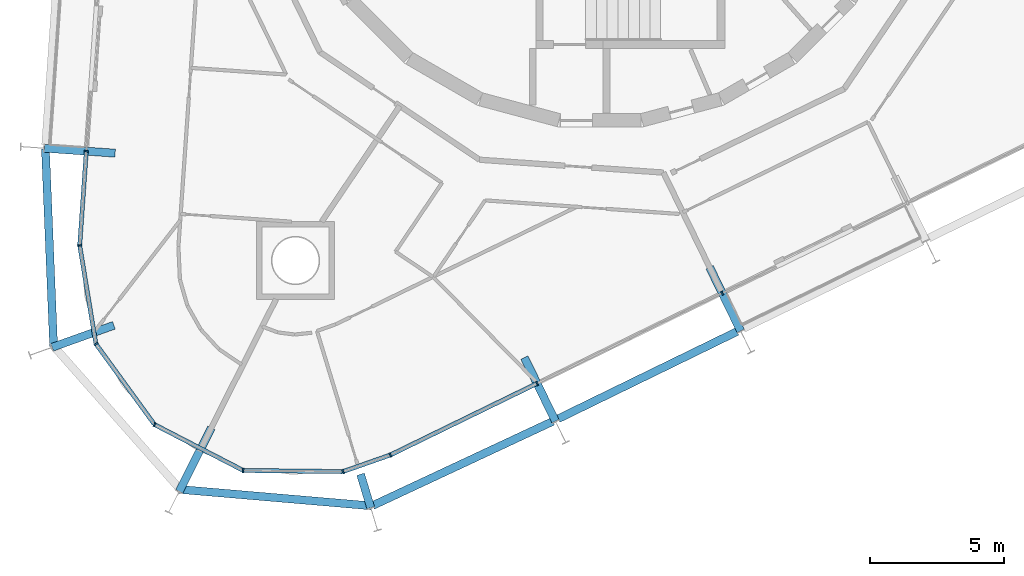
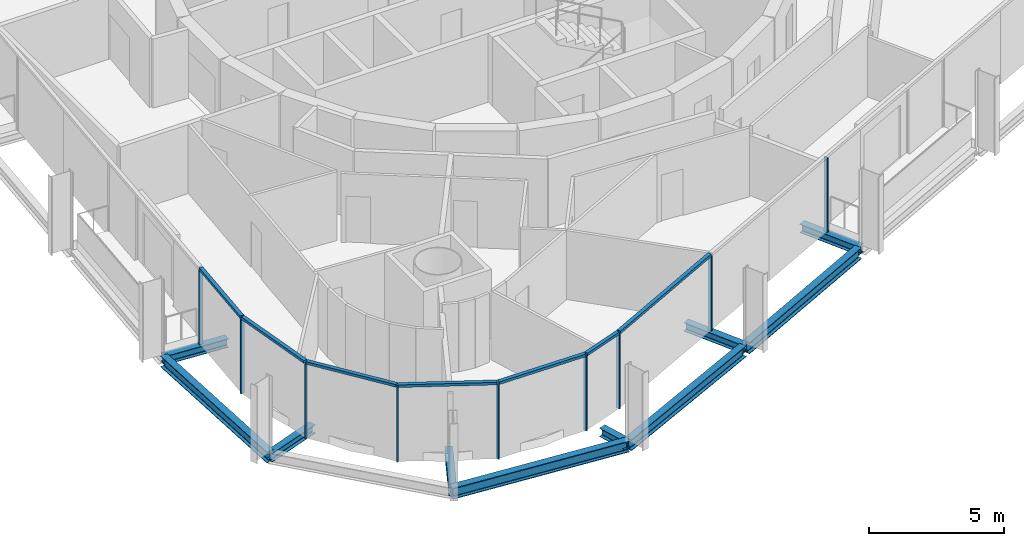
# One storey, part 2 of 17: 16 members, 10 beams, 2 elements without a shape of their own.
"""IFC4 building model written with IfcOpenShell, lengths in metres."""

from ifc_helpers import new_model, si_unit, direction, frame, origin, origin_2d, place, context, subcontext, project, spatial, rectangle, i_section, extrude, material, layer, layer_set, material_profile, profile_set, type_object, element, aggregate, save


model = new_model("IFC4")

# Units and contexts
model_context = context("Model", 3, precision=1e-05, world=origin(), true_north=direction((0.0, 1.0)))
body_context = subcontext(model_context, "Body", "Model", "MODEL_VIEW")
ifc_project = project(units=[si_unit("LENGTHUNIT", "METRE"), si_unit("AREAUNIT", "SQUARE_METRE"), si_unit("VOLUMEUNIT", "CUBIC_METRE"), si_unit("PLANEANGLEUNIT", "RADIAN"), si_unit("MASSUNIT", "GRAM", prefix="KILO")], contexts=[model_context])

# Site, building, storey
site_placement = place(None, origin())
site = spatial("IfcSite", under=ifc_project, at=site_placement, CompositionType="ELEMENT")
building_placement = place(site_placement, origin())
building = spatial("IfcBuilding", under=site, at=building_placement, Name="Spindle Arch Residences", CompositionType="ELEMENT")
storey_placement = place(building_placement, frame((0.0, 0.0, 212.89990234375)))
storey = spatial("IfcBuildingStorey", under=building, at=storey_placement, Name="L54", CompositionType="ELEMENT", Elevation=212.89990234375)

# Curtain wall, members
ifc_material_1 = material(Name="Aluminium bronze unitised frame with tinted glass", Category="aluminium")
ifc_layer_1 = layer(ifc_material_1, 0.159912109375)
ifc_layer_set_1 = layer_set([ifc_layer_1], Name="CW-D corner wall on the fillet arcs")
curtain_wall_type_1 = type_object("IfcCurtainWallType", Name="CW-D corner wall on the fillet arcs", PredefinedType="NOTDEFINED", material=ifc_layer_set_1)
curtain_wall_1_placement = place(storey_placement, origin())
curtain_wall_1 = element("IfcCurtainWall", 1, at=curtain_wall_1_placement, inside=storey, type_object=curtain_wall_type_1, Name="CW-D L54 run 5", PredefinedType="NOTDEFINED")
ifc_material_2 = material(Name="Aluminium bronze anodised mullion", Category="aluminium")
ifc_material_profile_1 = material_profile(ifc_material_2, rectangle(XDim=0.159912109375, YDim=0.06005859375, at=origin_2d()), Name="MU 60x160")
ifc_profile_set_1 = profile_set([ifc_material_profile_1], Name="Aluminium bronze anodised mullion")
member_type_1 = type_object("IfcMemberType", Name="Bronze mullion 60x160", PredefinedType="MULLION", material=ifc_profile_set_1)
member_1_placement = place(storey_placement, frame((-19.2001953125, -12.796875, -0.3798828125), z_axis=(0.0, 0.0, 1.0), x_axis=(0.99756405026, -0.069756473744, 0.0)))
member_1 = element("IfcMember", 2, at=member_1_placement, type_object=member_type_1, Name="CW-D mullion 00", PredefinedType="MULLION", context=body_context, shape_type="SweptSolid", body=[
    extrude(rectangle(XDim=0.159912109375, YDim=0.06005859375, at=origin_2d()), origin(), (0.0, 0.0, 1.0), 3.3798828125),
])
member_2_placement = place(storey_placement, frame((-19.4462890625, -16.31689453125, -0.3798828125), z_axis=(0.0, 0.0, 1.0), x_axis=(0.986761531666, 0.162177925821, 0.0)))
member_2 = element("IfcMember", 3, at=member_2_placement, type_object=member_type_1, Name="CW-D mullion 01", PredefinedType="MULLION", context=body_context, shape_type="SweptSolid", body=[
    extrude(rectangle(XDim=0.159912109375, YDim=0.06005859375, at=origin_2d()), origin(), (0.0, 0.0, 1.0), 3.3798828125),
])
member_3_placement = place(storey_placement, frame((-18.842041015625, -19.994140625, -0.3798828125), z_axis=(0.0, 0.0, 1.0), x_axis=(0.809016992641, 0.587785254679, 0.0)))
member_3 = element("IfcMember", 4, at=member_3_placement, type_object=member_type_1, Name="CW-D mullion 02", PredefinedType="MULLION", context=body_context, shape_type="SweptSolid", body=[
    extrude(rectangle(XDim=0.159912109375, YDim=0.06005859375, at=origin_2d()), origin(), (0.0, 0.0, 1.0), 3.3798828125),
])
member_4_placement = place(storey_placement, frame((-16.6513671875, -23.00927734375, -0.3798828125), z_axis=(0.0, 0.0, 1.0), x_axis=(0.459166453025, 0.88835025098, 0.0)))
member_4 = element("IfcMember", 5, at=member_4_placement, type_object=member_type_1, Name="CW-D mullion 03", PredefinedType="MULLION", context=body_context, shape_type="SweptSolid", body=[
    extrude(rectangle(XDim=0.159912109375, YDim=0.06005859375, at=origin_2d()), origin(), (0.0, 0.0, 1.0), 3.3798828125),
])
member_5_placement = place(storey_placement, frame((-13.3408203125, -24.720458984375, -0.3798828125), z_axis=(0.0, 0.0, 1.0), x_axis=(0.011635263346, 0.999932308032, 0.0)))
member_5 = element("IfcMember", 6, at=member_5_placement, type_object=member_type_1, Name="CW-D mullion 04", PredefinedType="MULLION", context=body_context, shape_type="SweptSolid", body=[
    extrude(rectangle(XDim=0.159912109375, YDim=0.06005859375, at=origin_2d()), origin(), (0.0, 0.0, 1.0), 3.3798828125),
])
member_6_placement = place(storey_placement, frame((-9.6142578125, -24.763916015625, -0.3798828125), z_axis=(0.0, 0.0, 1.0), x_axis=(-0.33106342198, 0.943608504957, 0.0)))
member_6 = element("IfcMember", 7, at=member_6_placement, type_object=member_type_1, Name="CW-D mullion 05", PredefinedType="MULLION", context=body_context, shape_type="SweptSolid", body=[
    extrude(rectangle(XDim=0.159912109375, YDim=0.06005859375, at=origin_2d()), origin(), (0.0, 0.0, 1.0), 3.3798828125),
])
member_7_placement = place(storey_placement, frame((-7.843994140625, -24.142822265625, -0.3798828125), z_axis=(0.0, 0.0, 1.0), x_axis=(-0.438371146789, 0.898794046299, 0.0)))
member_7 = element("IfcMember", 8, at=member_7_placement, type_object=member_type_1, Name="CW-D mullion 06", PredefinedType="MULLION", context=body_context, shape_type="SweptSolid", body=[
    extrude(rectangle(XDim=0.159912109375, YDim=0.06005859375, at=origin_2d()), origin(), (0.0, 0.0, 1.0), 3.3798828125),
])

ifc_material_3 = material(Name="Aluminium bronze unitised frame with tinted glass", Category="aluminium")
ifc_layer_2 = layer(ifc_material_3, 0.159912109375)
ifc_layer_set_2 = layer_set([ifc_layer_2], Name="CW-C typical residential unitised wall")
curtain_wall_type_2 = type_object("IfcCurtainWallType", Name="CW-C typical residential unitised wall", PredefinedType="NOTDEFINED", material=ifc_layer_set_2)
curtain_wall_2_placement = place(storey_placement, origin())
curtain_wall_2 = element("IfcCurtainWall", 9, at=curtain_wall_2_placement, inside=storey, type_object=curtain_wall_type_2, Name="CW-C L54 run 6", PredefinedType="NOTDEFINED")
member_8_placement = place(storey_placement, frame((-2.36767578125, -21.4716796875, -0.3798828125), z_axis=(0.0, 0.0, 1.0), x_axis=(-0.438371146789, 0.898794046299, 0.0)))
member_8 = element("IfcMember", 10, at=member_8_placement, type_object=member_type_1, Name="CW-C mullion 20", PredefinedType="MULLION", context=body_context, shape_type="SweptSolid", body=[
    extrude(rectangle(XDim=0.159912109375, YDim=0.06005859375, at=origin_2d()), origin(), (0.0, 0.0, 1.0), 3.3798828125),
])
member_9_placement = place(storey_placement, frame((4.54736328125, -18.09912109375, -0.3798828125), z_axis=(0.0, 0.0, 1.0), x_axis=(-0.438371146789, 0.898794046299, 0.0)))
member_9 = element("IfcMember", 11, at=member_9_placement, type_object=member_type_1, Name="CW-C mullion 21", PredefinedType="MULLION", context=body_context, shape_type="SweptSolid", body=[
    extrude(rectangle(XDim=0.159912109375, YDim=0.06005859375, at=origin_2d()), origin(), (0.0, 0.0, 1.0), 3.3798828125),
])
aggregate(curtain_wall_2, [member_8, member_9])

# Member
ifc_material_4 = material(Name="Aluminium bronze anodised transom", Category="aluminium")
ifc_material_profile_2 = material_profile(ifc_material_4, rectangle(XDim=0.159912109375, YDim=0.1201171875, at=origin_2d()), Name="TR 120x160")
ifc_profile_set_2 = profile_set([ifc_material_profile_2], Name="Aluminium bronze anodised transom")
member_type_2 = type_object("IfcMemberType", Name="Bronze transom 120x160", PredefinedType="USERDEFINED", material=ifc_profile_set_2)
member_10_placement = place(storey_placement, frame((-19.202392578125, -12.826904296875, 3.06005859375), z_axis=(-0.069756279092, -0.997564063871, 0.0), x_axis=(0.997564063871, -0.069756279092, 0.0)))
member_10 = element("IfcMember", 12, at=member_10_placement, type_object=member_type_2, Name="CW-D transom 00", ObjectType="TRANSOM", PredefinedType="USERDEFINED", context=body_context, shape_type="SweptSolid", body=[
    extrude(rectangle(XDim=0.159912109375, YDim=0.1201171875, at=origin_2d()), origin(), (0.0, 0.0, 1.0), 3.468505859375),
])

member_11_placement = place(storey_placement, frame((-19.44140625, -16.346435546875, 3.06005859375), z_axis=(0.162131110814, -0.986769224746, 0.0), x_axis=(0.986769224746, 0.162131110814, 0.0)))
member_11 = element("IfcMember", 13, at=member_11_placement, type_object=member_type_2, Name="CW-D transom 01", ObjectType="TRANSOM", PredefinedType="USERDEFINED", context=body_context, shape_type="SweptSolid", body=[
    extrude(rectangle(XDim=0.159912109375, YDim=0.1201171875, at=origin_2d()), origin(), (0.0, 0.0, 1.0), 3.666748046875),
])

member_12_placement = place(storey_placement, frame((-18.82421875, -20.0185546875, 3.06005859375), z_axis=(0.587807403161, -0.809000900363, 0.0), x_axis=(0.809000900363, 0.587807403161, 0.0)))
member_12 = element("IfcMember", 14, at=member_12_placement, type_object=member_type_2, Name="CW-D transom 02", ObjectType="TRANSOM", PredefinedType="USERDEFINED", context=body_context, shape_type="SweptSolid", body=[
    extrude(rectangle(XDim=0.159912109375, YDim=0.1201171875, at=origin_2d()), origin(), (0.0, 0.0, 1.0), 3.666748046875),
])

member_13_placement = place(storey_placement, frame((-16.624755859375, -23.02294921875, 3.06005859375), z_axis=(0.888327233371, -0.459210982503, 0.0), x_axis=(0.459210982503, 0.888327233371, 0.0)))
member_13 = element("IfcMember", 15, at=member_13_placement, type_object=member_type_2, Name="CW-D transom 03", ObjectType="TRANSOM", PredefinedType="USERDEFINED", context=body_context, shape_type="SweptSolid", body=[
    extrude(rectangle(XDim=0.159912109375, YDim=0.1201171875, at=origin_2d()), origin(), (0.0, 0.0, 1.0), 3.666748046875),
])

member_14_placement = place(storey_placement, frame((-13.310791015625, -24.720703125, 3.06005859375), z_axis=(0.999932114398, -0.011651892397, 0.0), x_axis=(0.011651892397, 0.999932114398, 0.0)))
member_14 = element("IfcMember", 16, at=member_14_placement, type_object=member_type_2, Name="CW-D transom 04", ObjectType="TRANSOM", PredefinedType="USERDEFINED", context=body_context, shape_type="SweptSolid", body=[
    extrude(rectangle(XDim=0.159912109375, YDim=0.1201171875, at=origin_2d()), origin(), (0.0, 0.0, 1.0), 3.666748046875),
])

member_15_placement = place(storey_placement, frame((-9.5859375, -24.75390625, 3.06005859375), z_axis=(0.943591876762, 0.331110812432, 0.0), x_axis=(-0.331110812432, 0.943591876762, 0.0)))
member_15 = element("IfcMember", 17, at=member_15_placement, type_object=member_type_2, Name="CW-D transom 05", ObjectType="TRANSOM", PredefinedType="USERDEFINED", context=body_context, shape_type="SweptSolid", body=[
    extrude(rectangle(XDim=0.159912109375, YDim=0.1201171875, at=origin_2d()), origin(), (0.0, 0.0, 1.0), 1.816162109375),
])

member_16_placement = place(storey_placement, frame((-7.81689453125, -24.129638671875, 3.06005859375), z_axis=(0.898786724344, 0.438386158704, 0.0), x_axis=(-0.438386158704, 0.898786724344, 0.0)))
member_16 = element("IfcMember", 18, at=member_16_placement, type_object=member_type_2, Name="CW-D transom 06", ObjectType="TRANSOM", PredefinedType="USERDEFINED", context=body_context, shape_type="SweptSolid", body=[
    extrude(rectangle(XDim=0.159912109375, YDim=0.1201171875, at=origin_2d()), origin(), (0.0, 0.0, 1.0), 6.032958984375),
])

aggregate(curtain_wall_1, [member_1, member_10, member_2, member_11, member_3, member_12, member_4, member_13, member_5, member_14, member_6, member_15, member_7, member_16])

# Beams
ifc_material_5 = material(Name="Steel S460ML, intumescent coating R 120", Category="steel")
ifc_material_profile_3 = material_profile(ifc_material_5, i_section(OverallWidth=0.300048828125, OverallDepth=0.5, WebThickness=0.014404296875, FlangeThickness=0.028076171875, FilletRadius=0.027099609375, at=origin_2d()), Name="HEB 500")
ifc_profile_set_3 = profile_set([ifc_material_profile_3], Name="Steel S460ML, intumescent coating R 120")
beam_type_1 = type_object("IfcBeamType", Name="Exoskeleton edge beam HEB 500", PredefinedType="BEAM", material=ifc_profile_set_3)
beam_1_placement = place(storey_placement, frame((-20.724609375, -12.719482421875, -0.6298828125), z_axis=(0.041509189308, -0.999138122185, 0.0), x_axis=(0.999138122185, 0.041509189308, 0.0)))
element("IfcBeam", 19, at=beam_1_placement, inside=storey, type_object=beam_type_1, Name="Exoskeleton edge beam 17", PredefinedType="BEAM", context=body_context, shape_type="SweptSolid", body=[
    extrude(i_section(OverallWidth=0.300048828125, OverallDepth=0.5, WebThickness=0.014404296875, FlangeThickness=0.028076171875, FilletRadius=0.027099609375, at=origin_2d()), origin(), (0.0, 0.0, 1.0), 7.36376953125),
])
beam_2_placement = place(storey_placement, frame((-15.7568359375, -25.42431640625, -0.6298828125), z_axis=(0.996340259924, -0.085475648313, 0.0), x_axis=(0.085475648313, 0.996340259924, 0.0)))
element("IfcBeam", 20, at=beam_2_placement, inside=storey, type_object=beam_type_1, Name="Exoskeleton edge beam 19", PredefinedType="BEAM", context=body_context, shape_type="SweptSolid", body=[
    extrude(i_section(OverallWidth=0.300048828125, OverallDepth=0.5, WebThickness=0.014404296875, FlangeThickness=0.028076171875, FilletRadius=0.027099609375, at=origin_2d()), origin(), (0.0, 0.0, 1.0), 7.249267578125),
])
beam_3_placement = place(storey_placement, frame((-8.508056640625, -26.0322265625, -0.6298828125), z_axis=(0.905883990605, 0.423525908966, 0.0), x_axis=(-0.423525908966, 0.905883990605, 0.0)))
element("IfcBeam", 21, at=beam_3_placement, inside=storey, type_object=beam_type_1, Name="Exoskeleton edge beam 20", PredefinedType="BEAM", context=body_context, shape_type="SweptSolid", body=[
    extrude(i_section(OverallWidth=0.300048828125, OverallDepth=0.5, WebThickness=0.014404296875, FlangeThickness=0.028076171875, FilletRadius=0.027099609375, at=origin_2d()), origin(), (0.0, 0.0, 1.0), 7.42822265625),
])
beam_4_placement = place(storey_placement, frame((-1.580078125, -22.789794921875, -0.6298828125), z_axis=(0.898804110297, 0.438350511935, 0.0), x_axis=(-0.438350511935, 0.898804110297, 0.0)))
element("IfcBeam", 22, at=beam_4_placement, inside=storey, type_object=beam_type_1, Name="Exoskeleton edge beam 21", PredefinedType="BEAM", context=body_context, shape_type="SweptSolid", body=[
    extrude(i_section(OverallWidth=0.300048828125, OverallDepth=0.5, WebThickness=0.014404296875, FlangeThickness=0.028076171875, FilletRadius=0.027099609375, at=origin_2d()), origin(), (0.0, 0.0, 1.0), 7.43359375),
])
ifc_material_6 = material(Name="Steel S460ML, intumescent coating R 120", Category="steel")
ifc_material_profile_4 = material_profile(ifc_material_6, i_section(OverallWidth=0.300048828125, OverallDepth=0.389892578125, WebThickness=0.010986328125, FlangeThickness=0.01904296875, FilletRadius=0.027099609375, at=origin_2d()), Name="HEA 400")
ifc_profile_set_4 = profile_set([ifc_material_profile_4], Name="Steel S460ML, intumescent coating R 120")
beam_type_2 = type_object("IfcBeamType", Name="Floor outrigger HEA 400", PredefinedType="BEAM", material=ifc_profile_set_4)
beam_5_placement = place(storey_placement, frame((-20.766357421875, -12.6875, -0.574951171875), z_axis=(0.997565124092, -0.069741115528, 0.0), x_axis=(0.069741115528, 0.997565124092, 0.0)))
element("IfcBeam", 23, at=beam_5_placement, inside=storey, type_object=beam_type_2, Name="Floor outrigger 17", PredefinedType="BEAM", context=body_context, shape_type="SweptSolid", body=[
    extrude(i_section(OverallWidth=0.300048828125, OverallDepth=0.389892578125, WebThickness=0.010986328125, FlangeThickness=0.01904296875, FilletRadius=0.027099609375, at=origin_2d()), origin(), (0.0, 0.0, 1.0), 2.64990234375),
])
beam_6_placement = place(storey_placement, frame((-20.475341796875, -20.1220703125, -0.574951171875), z_axis=(0.941908704104, 0.335869011868, 0.0), x_axis=(-0.335869011868, 0.941908704104, 0.0)))
element("IfcBeam", 24, at=beam_6_placement, inside=storey, type_object=beam_type_2, Name="Floor outrigger 18", PredefinedType="BEAM", context=body_context, shape_type="SweptSolid", body=[
    extrude(i_section(OverallWidth=0.300048828125, OverallDepth=0.389892578125, WebThickness=0.010986328125, FlangeThickness=0.01904296875, FilletRadius=0.027099609375, at=origin_2d()), origin(), (0.0, 0.0, 1.0), 2.448974609375),
])
beam_7_placement = place(storey_placement, frame((-15.725830078125, -25.49951171875, -0.574951171875), z_axis=(0.449717951116, 0.893170624486, 0.0), x_axis=(-0.893170624486, 0.449717951116, 0.0)))
element("IfcBeam", 25, at=beam_7_placement, inside=storey, type_object=beam_type_2, Name="Floor outrigger 19", PredefinedType="BEAM", context=body_context, shape_type="SweptSolid", body=[
    extrude(i_section(OverallWidth=0.300048828125, OverallDepth=0.389892578125, WebThickness=0.010986328125, FlangeThickness=0.01904296875, FilletRadius=0.027099609375, at=origin_2d()), origin(), (0.0, 0.0, 1.0), 2.649658203125),
])
beam_8_placement = place(storey_placement, frame((-8.57763671875, -26.11279296875, -0.574951171875), z_axis=(-0.291027903823, 0.956714565164, 0.0), x_axis=(-0.956714565164, -0.291027903823, 0.0)))
element("IfcBeam", 26, at=beam_8_placement, inside=storey, type_object=beam_type_2, Name="Floor outrigger 20", PredefinedType="BEAM", context=body_context, shape_type="SweptSolid", body=[
    extrude(i_section(OverallWidth=0.300048828125, OverallDepth=0.389892578125, WebThickness=0.010986328125, FlangeThickness=0.01904296875, FilletRadius=0.027099609375, at=origin_2d()), origin(), (0.0, 0.0, 1.0), 1.307861328125),
])
for number, where, z_axis, x_axis, name in (
    (27, (-1.679443359375, -22.8828125, -0.574951171875), (-0.438347395329, 0.898805630272, 0.0), (-0.898805630272, -0.438347395329, 0.0), "Floor outrigger 21"),
    (28, (5.235595703125, -19.510009765625, -0.574951171875), (-0.438383695602, 0.898787925725, 0.0), (-0.898787925725, -0.438383695602, 0.0), "Floor outrigger 22"),
):
    element("IfcBeam", number, at=place(storey_placement, frame(where, z_axis=z_axis, x_axis=x_axis)), inside=storey, type_object=beam_type_2, Name=name, PredefinedType="BEAM", context=body_context, shape_type="SweptSolid", body=[
        extrude(i_section(OverallWidth=0.300048828125, OverallDepth=0.389892578125, WebThickness=0.010986328125, FlangeThickness=0.01904296875, FilletRadius=0.027099609375, at=origin_2d()), origin(), (0.0, 0.0, 1.0), 2.64990234375),
    ])

save(model, "model.ifc")
